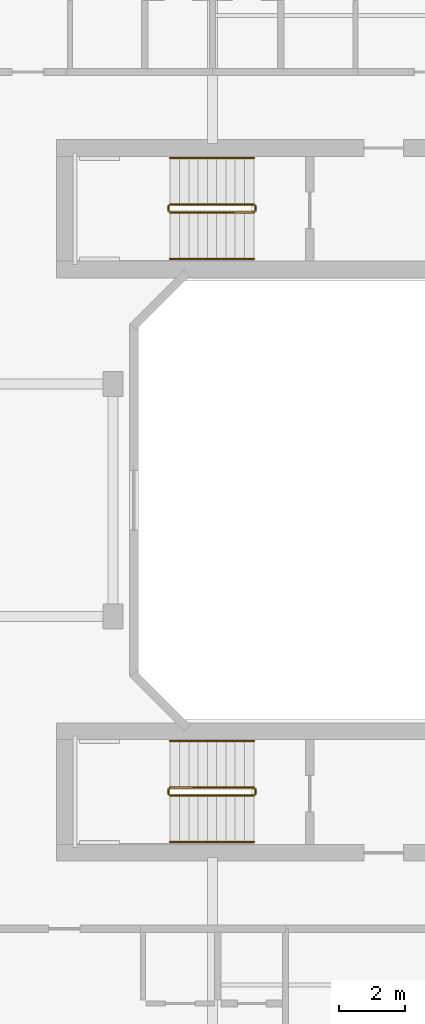
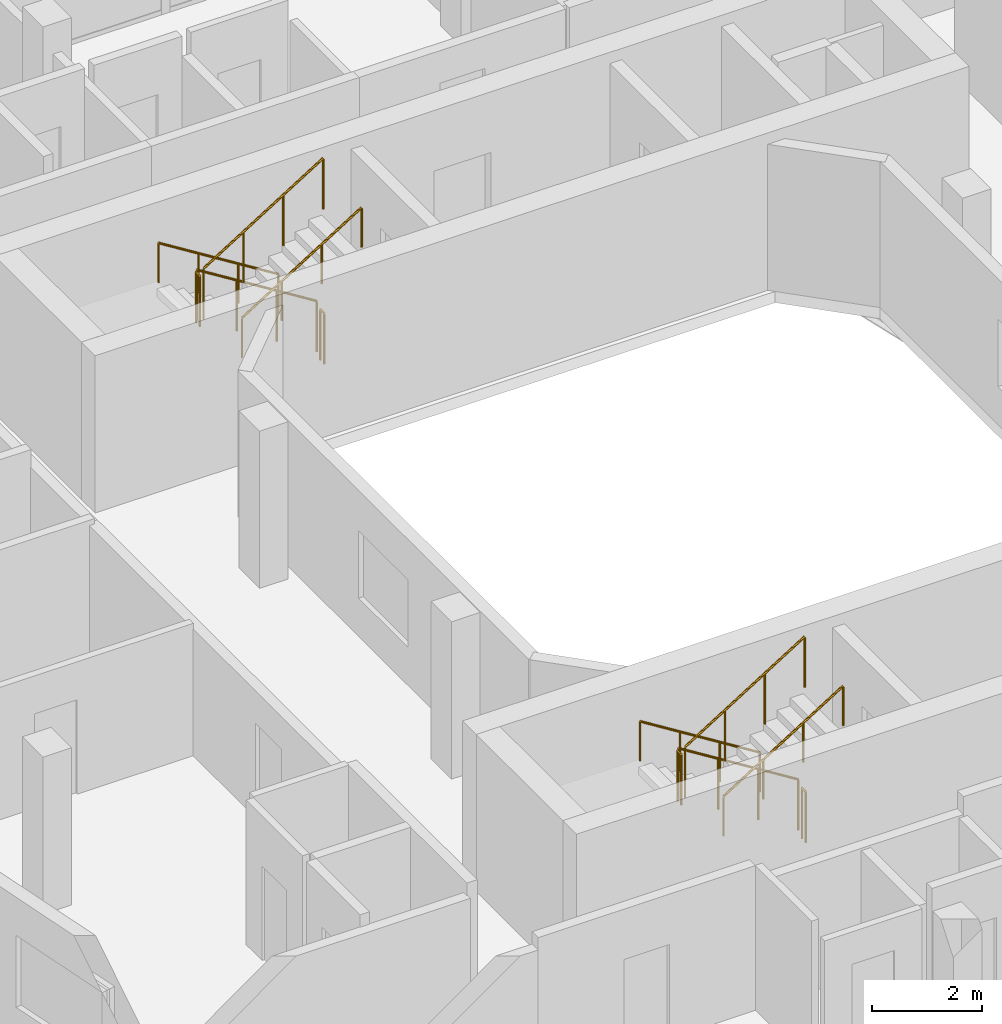
# One storey, part 27 of 27: 12 railings.
"""IFC4 building model written with IfcOpenShell, lengths in metres."""

from ifc_helpers import new_model, si_unit, derived_unit, direction, frame, origin, origin_2d, place, context, subcontext, project, spatial, circle, extrude, material, type_object, element, save


model = new_model("IFC4")

# Units and contexts
model_context = context("Model", 3, precision=1e-05, world=origin(), true_north=direction((0.0, 1.0)))
body_context = subcontext(model_context, "Body", "Model", "MODEL_VIEW")
ifc_project = project(units=[si_unit("LENGTHUNIT", "METRE"), si_unit("AREAUNIT", "SQUARE_METRE"), si_unit("VOLUMEUNIT", "CUBIC_METRE"), si_unit("PLANEANGLEUNIT", "RADIAN"), si_unit("MASSUNIT", "GRAM", prefix="KILO"), derived_unit("THERMALTRANSMITTANCEUNIT", [(si_unit("POWERUNIT", "WATT"), 1), (si_unit("LENGTHUNIT", "METRE"), -2), (si_unit("THERMODYNAMICTEMPERATUREUNIT", "KELVIN"), -1)])], contexts=[model_context])

# Site, building, storey
site_placement = place(None, origin())
site = spatial("IfcSite", under=ifc_project, at=site_placement, CompositionType="ELEMENT")
building_placement = place(site_placement, origin())
building = spatial("IfcBuilding", under=site, at=building_placement, Name="Kivonza Crest Hotel", CompositionType="ELEMENT")
storey_placement = place(building_placement, frame((0.0, 0.0, 76.5)))
storey = spatial("IfcBuildingStorey", under=building, at=storey_placement, Name="L20", CompositionType="ELEMENT", Elevation=76.5)

# Railings
ifc_material_1 = material(Name="Brushed stainless steel handrail", Category="steel")
railing_type_1 = type_object("IfcRailingType", Name="RL-HAND-900", PredefinedType="HANDRAIL", material=ifc_material_1)
railing_1_placement = place(storey_placement, frame((73.840087890625, 35.31005859375, 0.175048828125)))
element("IfcRailing", 1, at=railing_1_placement, inside=storey, type_object=railing_type_1, Name="L20 ST-T2-N stair handrail 1", PredefinedType="HANDRAIL", context=body_context, shape_type="SweptSolid", body=[
    extrude(circle(Radius=0.02392578125, at=origin_2d()), frame((0.0, 0.0, 0.8759765625), z_axis=(-0.848007534815, 0.0, 0.529984170421), x_axis=(0.0, -1.0, 0.0)), (0.0, 0.0, 1.0), 2.9716796875),
    extrude(circle(Radius=0.02099609375, at=origin_2d()), origin(), (0.0, 0.0, 1.0), 0.851806640625),
    extrude(circle(Radius=0.02099609375, at=origin_2d()), frame((-0.840087890625, 0.0, 0.52490234375)), (0.0, 0.0, 1.0), 0.851806640625),
    extrude(circle(Radius=0.02099609375, at=origin_2d()), frame((-1.679931640625, 0.0, 1.050048828125)), (0.0, 0.0, 1.0), 0.851806640625),
    extrude(circle(Radius=0.02099609375, at=origin_2d()), frame((-2.52001953125, 0.0, 1.574951171875)), (0.0, 0.0, 1.0), 0.851806640625),
])
railing_2_placement = place(storey_placement, frame((71.320068359375, 32.27001953125, 1.925048828125)))
element("IfcRailing", 2, at=railing_2_placement, inside=storey, type_object=railing_type_1, Name="L20 ST-T2-N stair handrail 2", PredefinedType="HANDRAIL", context=body_context, shape_type="SweptSolid", body=[
    extrude(circle(Radius=0.02392578125, at=origin_2d()), frame((0.0, 0.0, 0.8759765625), z_axis=(0.848007534815, 0.0, 0.529984170421), x_axis=(0.0, 1.0, 0.0)), (0.0, 0.0, 1.0), 2.9716796875),
    extrude(circle(Radius=0.02099609375, at=origin_2d()), origin(), (0.0, 0.0, 1.0), 0.851806640625),
    extrude(circle(Radius=0.02099609375, at=origin_2d()), frame((0.840087890625, 0.0, 0.52490234375)), (0.0, 0.0, 1.0), 0.851806640625),
    extrude(circle(Radius=0.02099609375, at=origin_2d()), frame((1.679931640625, 0.0, 1.050048828125)), (0.0, 0.0, 1.0), 0.851806640625),
    extrude(circle(Radius=0.02099609375, at=origin_2d()), frame((2.52001953125, 0.0, 1.574951171875)), (0.0, 0.0, 1.0), 0.851806640625),
])
railing_3_placement = place(storey_placement, frame((73.840087890625, 17.75, 0.175048828125)))
element("IfcRailing", 3, at=railing_3_placement, inside=storey, type_object=railing_type_1, Name="L20 ST-T2-S stair handrail 1", PredefinedType="HANDRAIL", context=body_context, shape_type="SweptSolid", body=[
    extrude(circle(Radius=0.02392578125, at=origin_2d()), frame((0.0, 0.0, 0.8759765625), z_axis=(-0.848007534815, 0.0, 0.529984170421), x_axis=(0.0, -1.0, 0.0)), (0.0, 0.0, 1.0), 2.9716796875),
    extrude(circle(Radius=0.02099609375, at=origin_2d()), origin(), (0.0, 0.0, 1.0), 0.851806640625),
    extrude(circle(Radius=0.02099609375, at=origin_2d()), frame((-0.840087890625, 0.0, 0.52490234375)), (0.0, 0.0, 1.0), 0.851806640625),
    extrude(circle(Radius=0.02099609375, at=origin_2d()), frame((-1.679931640625, 0.0, 1.050048828125)), (0.0, 0.0, 1.0), 0.851806640625),
    extrude(circle(Radius=0.02099609375, at=origin_2d()), frame((-2.52001953125, 0.0, 1.574951171875)), (0.0, 0.0, 1.0), 0.851806640625),
])
railing_4_placement = place(storey_placement, frame((71.320068359375, 14.7099609375, 1.925048828125)))
element("IfcRailing", 4, at=railing_4_placement, inside=storey, type_object=railing_type_1, Name="L20 ST-T2-S stair handrail 2", PredefinedType="HANDRAIL", context=body_context, shape_type="SweptSolid", body=[
    extrude(circle(Radius=0.02392578125, at=origin_2d()), frame((0.0, 0.0, 0.8759765625), z_axis=(0.848007534815, 0.0, 0.529984170421), x_axis=(0.0, 1.0, 0.0)), (0.0, 0.0, 1.0), 2.9716796875),
    extrude(circle(Radius=0.02099609375, at=origin_2d()), origin(), (0.0, 0.0, 1.0), 0.851806640625),
    extrude(circle(Radius=0.02099609375, at=origin_2d()), frame((0.840087890625, 0.0, 0.52490234375)), (0.0, 0.0, 1.0), 0.851806640625),
    extrude(circle(Radius=0.02099609375, at=origin_2d()), frame((1.679931640625, 0.0, 1.050048828125)), (0.0, 0.0, 1.0), 0.851806640625),
    extrude(circle(Radius=0.02099609375, at=origin_2d()), frame((2.52001953125, 0.0, 1.574951171875)), (0.0, 0.0, 1.0), 0.851806640625),
])
ifc_material_2 = material(Name="Painted steel balustrade", Category="steel")
railing_type_2 = type_object("IfcRailingType", Name="RL-STAIR-1150", PredefinedType="BALUSTRADE", material=ifc_material_2)
railing_5_placement = place(storey_placement, frame((73.840087890625, 33.909912109375, 0.175048828125)))
element("IfcRailing", 5, at=railing_5_placement, inside=storey, type_object=railing_type_2, Name="L20 ST-T2-N stair guard 1", PredefinedType="BALUSTRADE", context=body_context, shape_type="SweptSolid", body=[
    extrude(circle(Radius=0.02392578125, at=origin_2d()), frame((0.0, 0.0, 1.1259765625), z_axis=(-0.848007534815, 0.0, 0.529984170421), x_axis=(0.0, -1.0, 0.0)), (0.0, 0.0, 1.0), 2.9716796875),
    extrude(circle(Radius=0.02099609375, at=origin_2d()), origin(), (0.0, 0.0, 1.0), 1.101806640625),
    extrude(circle(Radius=0.02099609375, at=origin_2d()), frame((-0.840087890625, 0.0, 0.52490234375)), (0.0, 0.0, 1.0), 1.101806640625),
    extrude(circle(Radius=0.02099609375, at=origin_2d()), frame((-1.679931640625, 0.0, 1.050048828125)), (0.0, 0.0, 1.0), 1.101806640625),
    extrude(circle(Radius=0.02099609375, at=origin_2d()), frame((-2.52001953125, 0.0, 1.574951171875)), (0.0, 0.0, 1.0), 1.101806640625),
])
railing_6_placement = place(storey_placement, frame((71.27001953125, 33.860107421875, 1.75)))
element("IfcRailing", 6, at=railing_6_placement, inside=storey, type_object=railing_type_2, Name="L20 ST-T2-N stair guard 2", PredefinedType="BALUSTRADE", context=body_context, shape_type="SweptSolid", body=[
    extrude(circle(Radius=0.02392578125, at=origin_2d()), frame((0.0, 0.0, 1.1259765625), z_axis=(0.0, -1.0, 0.0), x_axis=(1.0, 0.0, 0.0)), (0.0, 0.0, 1.0), 0.14013671875),
    extrude(circle(Radius=0.02099609375, at=origin_2d()), origin(), (0.0, 0.0, 1.0), 1.101806640625),
    extrude(circle(Radius=0.02099609375, at=origin_2d()), frame((0.0, -0.14013671875, 0.0)), (0.0, 0.0, 1.0), 1.101806640625),
])
railing_7_placement = place(storey_placement, frame((71.320068359375, 33.669921875, 1.925048828125)))
element("IfcRailing", 7, at=railing_7_placement, inside=storey, type_object=railing_type_2, Name="L20 ST-T2-N stair guard 3", PredefinedType="BALUSTRADE", context=body_context, shape_type="SweptSolid", body=[
    extrude(circle(Radius=0.02392578125, at=origin_2d()), frame((0.0, 0.0, 1.1259765625), z_axis=(0.848007534815, 0.0, 0.529984170421), x_axis=(0.0, 1.0, 0.0)), (0.0, 0.0, 1.0), 2.9716796875),
    extrude(circle(Radius=0.02099609375, at=origin_2d()), origin(), (0.0, 0.0, 1.0), 1.101806640625),
    extrude(circle(Radius=0.02099609375, at=origin_2d()), frame((0.840087890625, 0.0, 0.52490234375)), (0.0, 0.0, 1.0), 1.101806640625),
    extrude(circle(Radius=0.02099609375, at=origin_2d()), frame((1.679931640625, 0.0, 1.050048828125)), (0.0, 0.0, 1.0), 1.101806640625),
    extrude(circle(Radius=0.02099609375, at=origin_2d()), frame((2.52001953125, 0.0, 1.574951171875)), (0.0, 0.0, 1.0), 1.101806640625),
])
railing_8_placement = place(storey_placement, frame((73.889892578125, 33.860107421875, 0.0)))
element("IfcRailing", 8, at=railing_8_placement, inside=storey, type_object=railing_type_2, Name="L20 ST-T2-N stair guard 4", PredefinedType="BALUSTRADE", context=body_context, shape_type="SweptSolid", body=[
    extrude(circle(Radius=0.02392578125, at=origin_2d()), frame((0.0, 0.0, 1.1259765625), z_axis=(0.0, -1.0, 0.0), x_axis=(1.0, 0.0, 0.0)), (0.0, 0.0, 1.0), 0.14013671875),
    extrude(circle(Radius=0.02099609375, at=origin_2d()), origin(), (0.0, 0.0, 1.0), 1.101806640625),
    extrude(circle(Radius=0.02099609375, at=origin_2d()), frame((0.0, -0.14013671875, 0.0)), (0.0, 0.0, 1.0), 1.101806640625),
])
railing_9_placement = place(storey_placement, frame((73.840087890625, 16.35009765625, 0.175048828125)))
element("IfcRailing", 9, at=railing_9_placement, inside=storey, type_object=railing_type_2, Name="L20 ST-T2-S stair guard 1", PredefinedType="BALUSTRADE", context=body_context, shape_type="SweptSolid", body=[
    extrude(circle(Radius=0.02392578125, at=origin_2d()), frame((0.0, 0.0, 1.1259765625), z_axis=(-0.848007534815, 0.0, 0.529984170421), x_axis=(0.0, -1.0, 0.0)), (0.0, 0.0, 1.0), 2.9716796875),
    extrude(circle(Radius=0.02099609375, at=origin_2d()), origin(), (0.0, 0.0, 1.0), 1.101806640625),
    extrude(circle(Radius=0.02099609375, at=origin_2d()), frame((-0.840087890625, 0.0, 0.52490234375)), (0.0, 0.0, 1.0), 1.101806640625),
    extrude(circle(Radius=0.02099609375, at=origin_2d()), frame((-1.679931640625, 0.0, 1.050048828125)), (0.0, 0.0, 1.0), 1.101806640625),
    extrude(circle(Radius=0.02099609375, at=origin_2d()), frame((-2.52001953125, 0.0, 1.574951171875)), (0.0, 0.0, 1.0), 1.101806640625),
])
railing_10_placement = place(storey_placement, frame((71.27001953125, 16.300048828125, 1.75)))
element("IfcRailing", 10, at=railing_10_placement, inside=storey, type_object=railing_type_2, Name="L20 ST-T2-S stair guard 2", PredefinedType="BALUSTRADE", context=body_context, shape_type="SweptSolid", body=[
    extrude(circle(Radius=0.02392578125, at=origin_2d()), frame((0.0, 0.0, 1.1259765625), z_axis=(0.0, -1.0, 0.0), x_axis=(1.0, 0.0, 0.0)), (0.0, 0.0, 1.0), 0.14013671875),
    extrude(circle(Radius=0.02099609375, at=origin_2d()), origin(), (0.0, 0.0, 1.0), 1.101806640625),
    extrude(circle(Radius=0.02099609375, at=origin_2d()), frame((0.0, -0.14013671875, 0.0)), (0.0, 0.0, 1.0), 1.101806640625),
])
railing_11_placement = place(storey_placement, frame((71.320068359375, 16.110107421875, 1.925048828125)))
element("IfcRailing", 11, at=railing_11_placement, inside=storey, type_object=railing_type_2, Name="L20 ST-T2-S stair guard 3", PredefinedType="BALUSTRADE", context=body_context, shape_type="SweptSolid", body=[
    extrude(circle(Radius=0.02392578125, at=origin_2d()), frame((0.0, 0.0, 1.1259765625), z_axis=(0.848007534815, 0.0, 0.529984170421), x_axis=(0.0, 1.0, 0.0)), (0.0, 0.0, 1.0), 2.9716796875),
    extrude(circle(Radius=0.02099609375, at=origin_2d()), origin(), (0.0, 0.0, 1.0), 1.101806640625),
    extrude(circle(Radius=0.02099609375, at=origin_2d()), frame((0.840087890625, 0.0, 0.52490234375)), (0.0, 0.0, 1.0), 1.101806640625),
    extrude(circle(Radius=0.02099609375, at=origin_2d()), frame((1.679931640625, 0.0, 1.050048828125)), (0.0, 0.0, 1.0), 1.101806640625),
    extrude(circle(Radius=0.02099609375, at=origin_2d()), frame((2.52001953125, 0.0, 1.574951171875)), (0.0, 0.0, 1.0), 1.101806640625),
])
railing_12_placement = place(storey_placement, frame((73.889892578125, 16.300048828125, 0.0)))
element("IfcRailing", 12, at=railing_12_placement, inside=storey, type_object=railing_type_2, Name="L20 ST-T2-S stair guard 4", PredefinedType="BALUSTRADE", context=body_context, shape_type="SweptSolid", body=[
    extrude(circle(Radius=0.02392578125, at=origin_2d()), frame((0.0, 0.0, 1.1259765625), z_axis=(0.0, -1.0, 0.0), x_axis=(1.0, 0.0, 0.0)), (0.0, 0.0, 1.0), 0.14013671875),
    extrude(circle(Radius=0.02099609375, at=origin_2d()), origin(), (0.0, 0.0, 1.0), 1.101806640625),
    extrude(circle(Radius=0.02099609375, at=origin_2d()), frame((0.0, -0.14013671875, 0.0)), (0.0, 0.0, 1.0), 1.101806640625),
])

save(model, "model.ifc")
